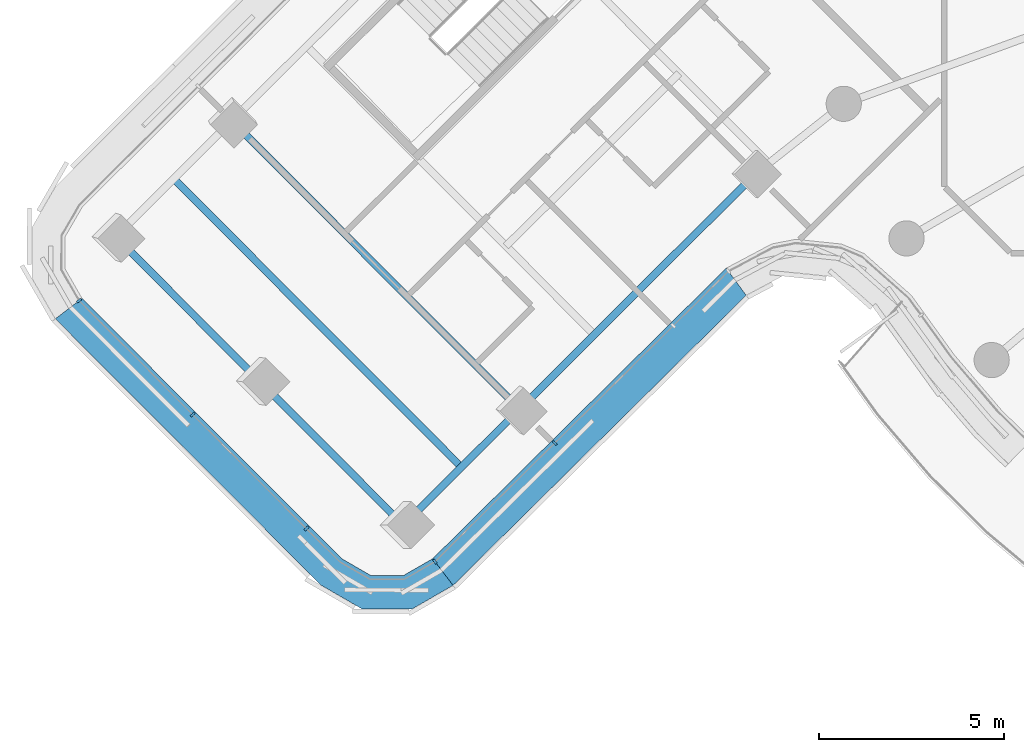
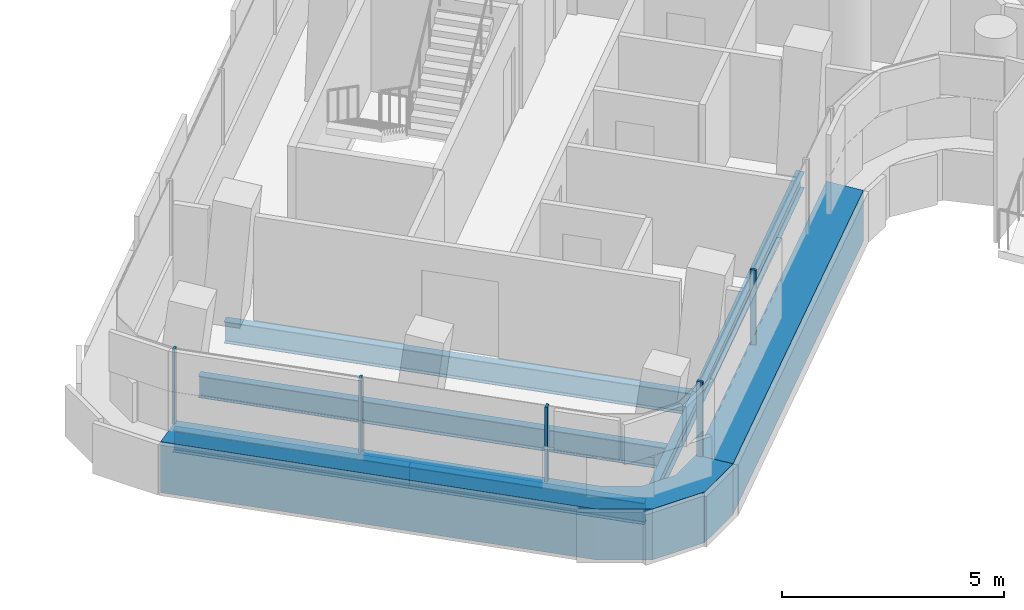
# One storey, part 2 of 31: 7 members, 6 beams, 2 elements without a shape of their own.
"""IFC4 building model written with IfcOpenShell, lengths in metres."""

from ifc_helpers import new_model, si_unit, direction, frame, origin, origin_2d, place, context, subcontext, project, spatial, polyline, rectangle, i_section, outline, extrude, material, layer, layer_set, material_profile, profile_set, type_object, element, aggregate, save


model = new_model("IFC4")

# Units and contexts
model_context = context("Model", 3, precision=1e-05, world=origin(), true_north=direction((0.0, 1.0)))
body_context = subcontext(model_context, "Body", "Model", "MODEL_VIEW")
ifc_project = project(units=[si_unit("LENGTHUNIT", "METRE"), si_unit("AREAUNIT", "SQUARE_METRE"), si_unit("VOLUMEUNIT", "CUBIC_METRE"), si_unit("PLANEANGLEUNIT", "RADIAN"), si_unit("MASSUNIT", "GRAM", prefix="KILO")], contexts=[model_context])

# Site, building, storey
site_placement = place(None, origin())
site = spatial("IfcSite", under=ifc_project, at=site_placement, CompositionType="ELEMENT")
building_placement = place(site_placement, origin())
building = spatial("IfcBuilding", under=site, at=building_placement, Name="Tamarind Cross Interchange Tower", CompositionType="ELEMENT")
storey_placement = place(building_placement, frame((0.0, 0.0, 196.89990234375)))
storey = spatial("IfcBuildingStorey", under=building, at=storey_placement, Name="L49", CompositionType="ELEMENT", Elevation=196.89990234375)

# Beams
ifc_material_1 = material(Name="Steel Q355B", Category="steel")
ifc_material_profile_1 = material_profile(ifc_material_1, i_section(OverallWidth=0.198974609375, OverallDepth=0.446044921875, WebThickness=0.008056640625, FlangeThickness=0.011962890625, FilletRadius=0.012939453125, at=origin_2d()), Name="HN 446x199x8x12")
ifc_profile_set_1 = profile_set([ifc_material_profile_1], Name="Steel Q355B")
beam_type_1 = type_object("IfcBeamType", Name="Composite beam HN 446x199x8x12 Q355B", PredefinedType="BEAM", material=ifc_profile_set_1)
beam_1_placement = place(storey_placement, frame((-33.501953125, -19.24072265625, -0.36279296875), z_axis=(0.708015250746, 0.706197142951, 0.0), x_axis=(-0.706197142951, 0.708015250746, 0.0)))
element("IfcBeam", 1, at=beam_1_placement, inside=storey, type_object=beam_type_1, Name="Beam W-edgeep2", PredefinedType="BEAM", context=body_context, shape_type="SweptSolid", body=[
    extrude(i_section(OverallWidth=0.198974609375, OverallDepth=0.446044921875, WebThickness=0.008056640625, FlangeThickness=0.011962890625, FilletRadius=0.012939453125, at=origin_2d()), origin(), (0.0, 0.0, 1.0), 4.431396484375),
])
beam_2_placement = place(storey_placement, frame((-30.364501953125, -16.111328125, -0.36279296875), z_axis=(0.708014952056, 0.706197442409, 0.0), x_axis=(-0.706197442409, 0.708014952056, 0.0)))
element("IfcBeam", 2, at=beam_2_placement, inside=storey, type_object=beam_type_1, Name="Beam W-edgeep3", PredefinedType="BEAM", context=body_context, shape_type="SweptSolid", body=[
    extrude(i_section(OverallWidth=0.198974609375, OverallDepth=0.446044921875, WebThickness=0.008056640625, FlangeThickness=0.011962890625, FilletRadius=0.012939453125, at=origin_2d()), origin(), (0.0, 0.0, 1.0), 9.0),
])
ifc_material_profile_2 = material_profile(ifc_material_1, i_section(OverallWidth=0.198974609375, OverallDepth=0.595947265625, WebThickness=0.010009765625, FlangeThickness=0.014892578125, FilletRadius=0.012939453125, at=origin_2d()), Name="HN 596x199x10x15")
ifc_profile_set_2 = profile_set([ifc_material_profile_2], Name="Steel Q355B")
beam_type_2 = type_object("IfcBeamType", Name="Composite beam HN 596x199x10x15 Q355B", PredefinedType="BEAM", material=ifc_profile_set_2)
for number, where, z_axis, x_axis, name in (
    (3, (-41.27001953125, -11.452392578125, -0.43798828125), (0.70617401175, -0.708038321794, 0.0), (0.708038321794, 0.70617401175, 0.0), "Beam W-tip0"),
    (4, (-37.385986328125, -15.3466796875, -0.43798828125), (0.706196206191, -0.708016185099, 0.0), (0.708016185099, 0.706196206191, 0.0), "Beam W-tip1"),
):
    element("IfcBeam", number, at=place(storey_placement, frame(where, z_axis=z_axis, x_axis=x_axis)), inside=storey, type_object=beam_type_2, Name=name, PredefinedType="BEAM", context=body_context, shape_type="SweptSolid", body=[
        extrude(i_section(OverallWidth=0.198974609375, OverallDepth=0.595947265625, WebThickness=0.010009765625, FlangeThickness=0.014892578125, FilletRadius=0.012939453125, at=origin_2d()), origin(), (0.0, 0.0, 1.0), 5.5),
    ])
for number, where, z_axis, x_axis, name in (
    (5, (-38.1328125, -8.3232421875, -0.43798828125), (0.706207331924, -0.70800508779, 0.0), (0.70800508779, 0.706207331924, 0.0), "Beam W-x393"),
    (6, (-39.701416015625, -9.8876953125, -0.43798828125), (0.706185108883, -0.708027253707, 0.0), (0.708027253707, 0.706185108883, 0.0), "Beam W-x415"),
):
    element("IfcBeam", number, at=place(storey_placement, frame(where, z_axis=z_axis, x_axis=x_axis)), inside=storey, type_object=beam_type_2, Name=name, PredefinedType="BEAM", context=body_context, shape_type="SweptSolid", body=[
        extrude(i_section(OverallWidth=0.198974609375, OverallDepth=0.595947265625, WebThickness=0.010009765625, FlangeThickness=0.014892578125, FilletRadius=0.012939453125, at=origin_2d()), origin(), (0.0, 0.0, 1.0), 11.0),
    ])

# Curtain wall, member
ifc_material_2 = material(Name="Aluminium 6063-T6", Category="aluminium")
ifc_layer = layer(ifc_material_2, 0.139892578125)
ifc_layer_set = layer_set([ifc_layer], Name="Aluminium 6063-T6")
curtain_wall_type = type_object("IfcCurtainWallType", Name="Hotel curtain wall, 4.5 m bays", PredefinedType="NOTDEFINED", material=ifc_layer_set)
curtain_wall_1_placement = place(storey_placement, origin())
curtain_wall_1 = element("IfcCurtainWall", 7, at=curtain_wall_1_placement, inside=storey, type_object=curtain_wall_type, Name="CWS-L49-08", PredefinedType="NOTDEFINED")
ifc_material_3 = material(Name="Aluminium and insulated spandrel panel", Category="aluminium")
member_type_1 = type_object("IfcMemberType", Name="Floor-edge blade transom", PredefinedType="USERDEFINED", material=ifc_material_3)
member_1_placement = place(storey_placement, origin())
member_1 = element("IfcMember", 8, at=member_1_placement, type_object=member_type_1, Name="CWT-L49-08", ObjectType="TRANSOM", PredefinedType="USERDEFINED", context=body_context, shape_type="SweptSolid", body=[
    extrude(outline(polyline([(-42.176025390625, -13.117919921875), (-35.169677734375, -20.14208984375), (-34.377685546875, -20.600830078125), (-33.503173828125, -20.60205078125), (-32.709228515625, -20.14501953125), (-32.1591796875, -20.866943359375), (-33.26318359375, -21.50244140625), (-34.619873046875, -21.50048828125), (-35.723388671875, -20.861572265625), (-42.896728515625, -13.669677734375), (-42.176025390625, -13.117919921875)])), origin(), (0.0, 0.0, 1.0), 1.400146484375),
])

curtain_wall_2_placement = place(storey_placement, origin())
curtain_wall_2 = element("IfcCurtainWall", 9, at=curtain_wall_2_placement, inside=storey, type_object=curtain_wall_type, Name="CWS-L49-09", PredefinedType="NOTDEFINED")
member_2_placement = place(storey_placement, origin())
member_2 = element("IfcMember", 10, at=member_2_placement, type_object=member_type_1, Name="CWT-L49-09", ObjectType="TRANSOM", PredefinedType="USERDEFINED", context=body_context, shape_type="SweptSolid", body=[
    extrude(outline(polyline([(-32.709228515625, -20.14501953125), (-24.785400390625, -12.302734375), (-24.246337890625, -13.035400390625), (-32.1591796875, -20.866943359375), (-32.709228515625, -20.14501953125)])), origin(), (0.0, 0.0, 1.0), 1.400146484375),
])

# Member
ifc_material_profile_3 = material_profile(ifc_material_2, rectangle(XDim=0.06005859375, YDim=0.139892578125, at=origin_2d()), Name="Mullion CW2")
ifc_profile_set_3 = profile_set([ifc_material_profile_3], Name="Aluminium 6063-T6")
member_type_2 = type_object("IfcMemberType", Name="Mullion CW2", PredefinedType="MULLION", material=ifc_profile_set_3)
member_3_placement = place(storey_placement, frame((-42.256103515625, -13.17919921875, 1.400146484375), z_axis=(0.0, 0.0, 1.0), x_axis=(0.607741815215, -0.794134677519, 0.0)))
member_3 = element("IfcMember", 11, at=member_3_placement, type_object=member_type_2, Name="CWM-L49-08-00", PredefinedType="MULLION", context=body_context, shape_type="SweptSolid", body=[
    extrude(rectangle(XDim=0.06005859375, YDim=0.139892578125, at=origin_2d()), origin(), (0.0, 0.0, 1.0), 2.06005859375),
])

member_4_placement = place(storey_placement, frame((-39.187255859375, -16.256103515625, 1.400146484375), z_axis=(0.0, 0.0, 1.0), x_axis=(0.706197875304, -0.708014520272, 0.0)))
member_4 = element("IfcMember", 12, at=member_4_placement, type_object=member_type_2, Name="CWM-L49-08-01", PredefinedType="MULLION", context=body_context, shape_type="SweptSolid", body=[
    extrude(rectangle(XDim=0.06005859375, YDim=0.139892578125, at=origin_2d()), origin(), (0.0, 0.0, 1.0), 2.06005859375),
])

member_5_placement = place(storey_placement, frame((-36.118408203125, -19.332763671875, 1.400146484375), z_axis=(0.0, 0.0, 1.0), x_axis=(0.706197875304, -0.708014520272, 0.0)))
member_5 = element("IfcMember", 13, at=member_5_placement, type_object=member_type_2, Name="CWM-L49-08-02", PredefinedType="MULLION", context=body_context, shape_type="SweptSolid", body=[
    extrude(rectangle(XDim=0.06005859375, YDim=0.139892578125, at=origin_2d()), origin(), (0.0, 0.0, 1.0), 2.06005859375),
])

aggregate(curtain_wall_1, [member_3, member_4, member_5, member_1])

member_6_placement = place(storey_placement, frame((-32.648193359375, -20.225341796875, 1.400146484375), z_axis=(0.0, 0.0, 1.0), x_axis=(0.795312841872, 0.606199211112, 0.0)))
member_6 = element("IfcMember", 14, at=member_6_placement, type_object=member_type_2, Name="CWM-L49-09-00", PredefinedType="MULLION", context=body_context, shape_type="SweptSolid", body=[
    extrude(rectangle(XDim=0.06005859375, YDim=0.139892578125, at=origin_2d()), origin(), (0.0, 0.0, 1.0), 2.06005859375),
])

member_7_placement = place(storey_placement, frame((-29.4140625, -17.0244140625, 1.400146484375), z_axis=(0.0, 0.0, 1.0), x_axis=(0.710750718006, 0.703443968525, 0.0)))
member_7 = element("IfcMember", 15, at=member_7_placement, type_object=member_type_2, Name="CWM-L49-09-01", PredefinedType="MULLION", context=body_context, shape_type="SweptSolid", body=[
    extrude(rectangle(XDim=0.06005859375, YDim=0.139892578125, at=origin_2d()), origin(), (0.0, 0.0, 1.0), 2.06005859375),
])

aggregate(curtain_wall_2, [member_6, member_7, member_2])

save(model, "model.ifc")
